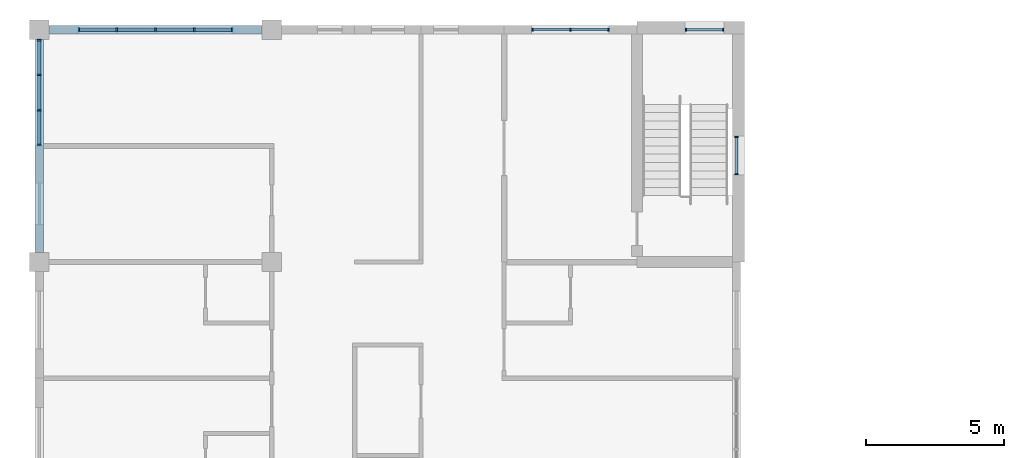
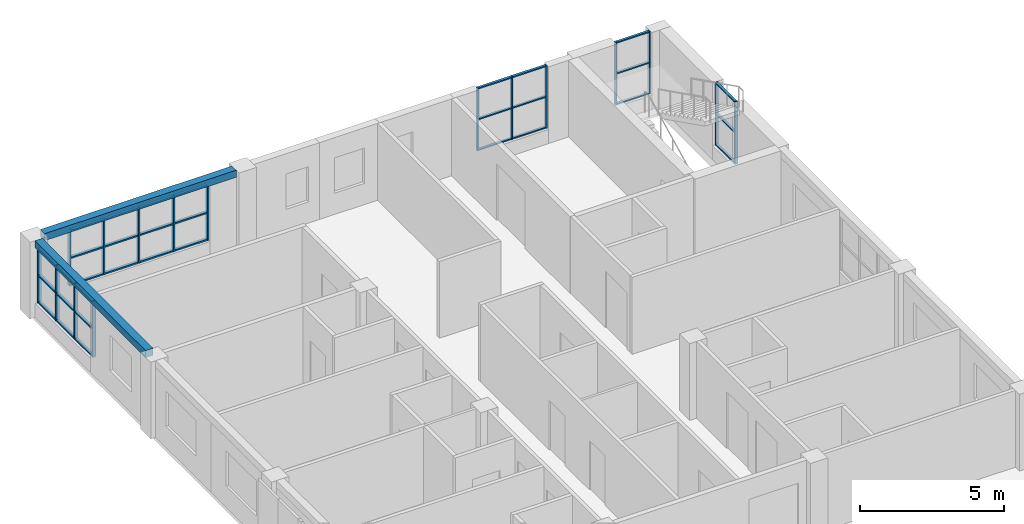
# One storey, part 18 of 61: 49 members, 2 beams, 5 elements without a shape of their own.
"""IFC4 building model written with IfcOpenShell, lengths in metres."""

from ifc_helpers import new_model, si_unit, direction, frame, origin, origin_2d, place, context, subcontext, project, spatial, rectangle, extrude, material, material_profile, profile_set, type_object, element, aggregate, save


model = new_model("IFC4")

# Units and contexts
model_context = context("Model", 3, precision=1e-05, world=origin(), true_north=direction((0.0, 1.0)))
body_context = subcontext(model_context, "Body", "Model", "MODEL_VIEW")
ifc_project = project(units=[si_unit("LENGTHUNIT", "METRE"), si_unit("AREAUNIT", "SQUARE_METRE"), si_unit("VOLUMEUNIT", "CUBIC_METRE"), si_unit("PLANEANGLEUNIT", "RADIAN"), si_unit("MASSUNIT", "GRAM", prefix="KILO")], contexts=[model_context])

# Site, building, storey
site_placement = place(None, origin())
site = spatial("IfcSite", under=ifc_project, at=site_placement, CompositionType="ELEMENT")
building_placement = place(site_placement, origin())
building = spatial("IfcBuilding", under=site, at=building_placement, Name="Yavir Park General Hospital", CompositionType="ELEMENT")
storey_placement = place(building_placement, frame((0.0, 0.0, 15.300048828125)))
storey = spatial("IfcBuildingStorey", under=building, at=storey_placement, Name="L03", CompositionType="ELEMENT", Elevation=15.300048828125)

# Curtain wall, members
ifc_material_1 = material(Name="Aluminium curtain wall frame with insulated glazing", Category="aluminium")
curtain_wall_type_1 = type_object("IfcCurtainWallType", Name="Day room pocket glazing, ward floors, 2360 high, 1400 module", PredefinedType="NOTDEFINED", material=ifc_material_1)
curtain_wall_1_placement = place(storey_placement, origin())
curtain_wall_1 = element("IfcCurtainWall", 1, at=curtain_wall_1_placement, inside=storey, type_object=curtain_wall_type_1, Name="CW6 L03-013", PredefinedType="NOTDEFINED")
ifc_material_2 = material(Name="Aluminium", Category="aluminium")
ifc_material_profile_1 = material_profile(ifc_material_2, rectangle(XDim=0.139892578125, YDim=0.06005859375, at=origin_2d()), Name="AL 60x140")
ifc_profile_set_1 = profile_set([ifc_material_profile_1], Name="Aluminium")
member_type_1 = type_object("IfcMemberType", Name="Day room pocket glazing, ward floors, 2360 high mullion 60 x 140", PredefinedType="MULLION", material=ifc_profile_set_1)
member_1_placement = place(storey_placement, frame((1.429931640625, 117.60009765625, 0.599853515625), z_axis=(0.0, 0.0, 1.0), x_axis=(0.0, 1.0, 0.0)))
member_1 = element("IfcMember", 2, at=member_1_placement, type_object=member_type_1, Name="CW6 mullion 1", PredefinedType="MULLION", context=body_context, shape_type="SweptSolid", body=[
    extrude(rectangle(XDim=0.139892578125, YDim=0.06005859375, at=origin_2d()), origin(), (0.0, 0.0, 1.0), 2.360107421875),
])
member_2_placement = place(storey_placement, frame((2.800048828125, 117.60009765625, 0.599853515625), z_axis=(0.0, 0.0, 1.0), x_axis=(0.0, 1.0, 0.0)))
member_2 = element("IfcMember", 3, at=member_2_placement, type_object=member_type_1, Name="CW6 mullion 2", PredefinedType="MULLION", context=body_context, shape_type="SweptSolid", body=[
    extrude(rectangle(XDim=0.139892578125, YDim=0.06005859375, at=origin_2d()), origin(), (0.0, 0.0, 1.0), 2.360107421875),
])
member_3_placement = place(storey_placement, frame((4.199951171875, 117.60009765625, 0.599853515625), z_axis=(0.0, 0.0, 1.0), x_axis=(0.0, 1.0, 0.0)))
member_3 = element("IfcMember", 4, at=member_3_placement, type_object=member_type_1, Name="CW6 mullion 3", PredefinedType="MULLION", context=body_context, shape_type="SweptSolid", body=[
    extrude(rectangle(XDim=0.139892578125, YDim=0.06005859375, at=origin_2d()), origin(), (0.0, 0.0, 1.0), 2.360107421875),
])
member_4_placement = place(storey_placement, frame((5.60009765625, 117.60009765625, 0.599853515625), z_axis=(0.0, 0.0, 1.0), x_axis=(0.0, 1.0, 0.0)))
member_4 = element("IfcMember", 5, at=member_4_placement, type_object=member_type_1, Name="CW6 mullion 4", PredefinedType="MULLION", context=body_context, shape_type="SweptSolid", body=[
    extrude(rectangle(XDim=0.139892578125, YDim=0.06005859375, at=origin_2d()), origin(), (0.0, 0.0, 1.0), 2.360107421875),
])
member_5_placement = place(storey_placement, frame((6.969970703125, 117.60009765625, 0.599853515625), z_axis=(0.0, 0.0, 1.0), x_axis=(0.0, 1.0, 0.0)))
member_5 = element("IfcMember", 6, at=member_5_placement, type_object=member_type_1, Name="CW6 mullion 5", PredefinedType="MULLION", context=body_context, shape_type="SweptSolid", body=[
    extrude(rectangle(XDim=0.139892578125, YDim=0.06005859375, at=origin_2d()), origin(), (0.0, 0.0, 1.0), 2.360107421875),
])

curtain_wall_2_placement = place(storey_placement, origin())
curtain_wall_2 = element("IfcCurtainWall", 7, at=curtain_wall_2_placement, inside=storey, type_object=curtain_wall_type_1, Name="CW6 L03-021", PredefinedType="NOTDEFINED")
member_6_placement = place(storey_placement, frame((0.0, 113.429931640625, 0.599853515625), z_axis=(0.0, 0.0, 1.0), x_axis=(-1.0, 0.0, 0.0)))
member_6 = element("IfcMember", 8, at=member_6_placement, type_object=member_type_1, Name="CW6 mullion 1", PredefinedType="MULLION", context=body_context, shape_type="SweptSolid", body=[
    extrude(rectangle(XDim=0.139892578125, YDim=0.06005859375, at=origin_2d()), origin(), (0.0, 0.0, 1.0), 2.360107421875),
])
member_7_placement = place(storey_placement, frame((0.0, 114.683349609375, 0.599853515625), z_axis=(0.0, 0.0, 1.0), x_axis=(-1.0, 0.0, 0.0)))
member_7 = element("IfcMember", 9, at=member_7_placement, type_object=member_type_1, Name="CW6 mullion 2", PredefinedType="MULLION", context=body_context, shape_type="SweptSolid", body=[
    extrude(rectangle(XDim=0.139892578125, YDim=0.06005859375, at=origin_2d()), origin(), (0.0, 0.0, 1.0), 2.360107421875),
])
member_8_placement = place(storey_placement, frame((0.0, 115.966552734375, 0.599853515625), z_axis=(0.0, 0.0, 1.0), x_axis=(-1.0, 0.0, 0.0)))
member_8 = element("IfcMember", 10, at=member_8_placement, type_object=member_type_1, Name="CW6 mullion 3", PredefinedType="MULLION", context=body_context, shape_type="SweptSolid", body=[
    extrude(rectangle(XDim=0.139892578125, YDim=0.06005859375, at=origin_2d()), origin(), (0.0, 0.0, 1.0), 2.360107421875),
])
member_9_placement = place(storey_placement, frame((0.0, 117.219970703125, 0.599853515625), z_axis=(0.0, 0.0, 1.0), x_axis=(-1.0, 0.0, 0.0)))
member_9 = element("IfcMember", 11, at=member_9_placement, type_object=member_type_1, Name="CW6 mullion 4", PredefinedType="MULLION", context=body_context, shape_type="SweptSolid", body=[
    extrude(rectangle(XDim=0.139892578125, YDim=0.06005859375, at=origin_2d()), origin(), (0.0, 0.0, 1.0), 2.360107421875),
])

# Member
ifc_material_3 = material(Name="Aluminium", Category="aluminium")
ifc_material_profile_2 = material_profile(ifc_material_3, rectangle(XDim=0.1201171875, YDim=0.06005859375, at=origin_2d()), Name="AL 120x60")
ifc_profile_set_2 = profile_set([ifc_material_profile_2], Name="Aluminium")
member_type_2 = type_object("IfcMemberType", Name="Day room pocket glazing, ward floors, 2360 high transom 60 x 120", PredefinedType="MULLION", material=ifc_profile_set_2)
member_10_placement = place(storey_placement, frame((1.4599609375, 117.60009765625, 0.6298828125), z_axis=(1.0, 0.0, 0.0), x_axis=(0.0, 1.0, 0.0)))
member_10 = element("IfcMember", 12, at=member_10_placement, type_object=member_type_2, Name="CW6 transom 1.1", PredefinedType="MULLION", context=body_context, shape_type="SweptSolid", body=[
    extrude(rectangle(XDim=0.1201171875, YDim=0.06005859375, at=origin_2d()), origin(), (0.0, 0.0, 1.0), 1.31005859375),
])

member_11_placement = place(storey_placement, frame((1.4599609375, 117.60009765625, 1.780029296875), z_axis=(1.0, 0.0, 0.0), x_axis=(0.0, 1.0, 0.0)))
member_11 = element("IfcMember", 13, at=member_11_placement, type_object=member_type_2, Name="CW6 transom 1.2", PredefinedType="MULLION", context=body_context, shape_type="SweptSolid", body=[
    extrude(rectangle(XDim=0.1201171875, YDim=0.06005859375, at=origin_2d()), origin(), (0.0, 0.0, 1.0), 1.31005859375),
])

member_12_placement = place(storey_placement, frame((1.4599609375, 117.60009765625, 2.929931640625), z_axis=(1.0, 0.0, 0.0), x_axis=(0.0, 1.0, 0.0)))
member_12 = element("IfcMember", 14, at=member_12_placement, type_object=member_type_2, Name="CW6 transom 1.3", PredefinedType="MULLION", context=body_context, shape_type="SweptSolid", body=[
    extrude(rectangle(XDim=0.1201171875, YDim=0.06005859375, at=origin_2d()), origin(), (0.0, 0.0, 1.0), 1.31005859375),
])

member_13_placement = place(storey_placement, frame((2.830078125, 117.60009765625, 0.6298828125), z_axis=(1.0, 0.0, 0.0), x_axis=(0.0, 1.0, 0.0)))
member_13 = element("IfcMember", 15, at=member_13_placement, type_object=member_type_2, Name="CW6 transom 2.1", PredefinedType="MULLION", context=body_context, shape_type="SweptSolid", body=[
    extrude(rectangle(XDim=0.1201171875, YDim=0.06005859375, at=origin_2d()), origin(), (0.0, 0.0, 1.0), 1.33984375),
])

member_14_placement = place(storey_placement, frame((2.830078125, 117.60009765625, 1.780029296875), z_axis=(1.0, 0.0, 0.0), x_axis=(0.0, 1.0, 0.0)))
member_14 = element("IfcMember", 16, at=member_14_placement, type_object=member_type_2, Name="CW6 transom 2.2", PredefinedType="MULLION", context=body_context, shape_type="SweptSolid", body=[
    extrude(rectangle(XDim=0.1201171875, YDim=0.06005859375, at=origin_2d()), origin(), (0.0, 0.0, 1.0), 1.33984375),
])

member_15_placement = place(storey_placement, frame((2.830078125, 117.60009765625, 2.929931640625), z_axis=(1.0, 0.0, 0.0), x_axis=(0.0, 1.0, 0.0)))
member_15 = element("IfcMember", 17, at=member_15_placement, type_object=member_type_2, Name="CW6 transom 2.3", PredefinedType="MULLION", context=body_context, shape_type="SweptSolid", body=[
    extrude(rectangle(XDim=0.1201171875, YDim=0.06005859375, at=origin_2d()), origin(), (0.0, 0.0, 1.0), 1.33984375),
])

member_16_placement = place(storey_placement, frame((4.22998046875, 117.60009765625, 0.6298828125), z_axis=(1.0, 0.0, 0.0), x_axis=(0.0, 1.0, 0.0)))
member_16 = element("IfcMember", 18, at=member_16_placement, type_object=member_type_2, Name="CW6 transom 3.1", PredefinedType="MULLION", context=body_context, shape_type="SweptSolid", body=[
    extrude(rectangle(XDim=0.1201171875, YDim=0.06005859375, at=origin_2d()), origin(), (0.0, 0.0, 1.0), 1.340087890625),
])

member_17_placement = place(storey_placement, frame((4.22998046875, 117.60009765625, 1.780029296875), z_axis=(1.0, 0.0, 0.0), x_axis=(0.0, 1.0, 0.0)))
member_17 = element("IfcMember", 19, at=member_17_placement, type_object=member_type_2, Name="CW6 transom 3.2", PredefinedType="MULLION", context=body_context, shape_type="SweptSolid", body=[
    extrude(rectangle(XDim=0.1201171875, YDim=0.06005859375, at=origin_2d()), origin(), (0.0, 0.0, 1.0), 1.340087890625),
])

member_18_placement = place(storey_placement, frame((4.22998046875, 117.60009765625, 2.929931640625), z_axis=(1.0, 0.0, 0.0), x_axis=(0.0, 1.0, 0.0)))
member_18 = element("IfcMember", 20, at=member_18_placement, type_object=member_type_2, Name="CW6 transom 3.3", PredefinedType="MULLION", context=body_context, shape_type="SweptSolid", body=[
    extrude(rectangle(XDim=0.1201171875, YDim=0.06005859375, at=origin_2d()), origin(), (0.0, 0.0, 1.0), 1.340087890625),
])

member_19_placement = place(storey_placement, frame((5.6298828125, 117.60009765625, 0.6298828125), z_axis=(1.0, 0.0, 0.0), x_axis=(0.0, 1.0, 0.0)))
member_19 = element("IfcMember", 21, at=member_19_placement, type_object=member_type_2, Name="CW6 transom 4.1", PredefinedType="MULLION", context=body_context, shape_type="SweptSolid", body=[
    extrude(rectangle(XDim=0.1201171875, YDim=0.06005859375, at=origin_2d()), origin(), (0.0, 0.0, 1.0), 1.31005859375),
])

member_20_placement = place(storey_placement, frame((5.6298828125, 117.60009765625, 1.780029296875), z_axis=(1.0, 0.0, 0.0), x_axis=(0.0, 1.0, 0.0)))
member_20 = element("IfcMember", 22, at=member_20_placement, type_object=member_type_2, Name="CW6 transom 4.2", PredefinedType="MULLION", context=body_context, shape_type="SweptSolid", body=[
    extrude(rectangle(XDim=0.1201171875, YDim=0.06005859375, at=origin_2d()), origin(), (0.0, 0.0, 1.0), 1.31005859375),
])

member_21_placement = place(storey_placement, frame((5.6298828125, 117.60009765625, 2.929931640625), z_axis=(1.0, 0.0, 0.0), x_axis=(0.0, 1.0, 0.0)))
member_21 = element("IfcMember", 23, at=member_21_placement, type_object=member_type_2, Name="CW6 transom 4.3", PredefinedType="MULLION", context=body_context, shape_type="SweptSolid", body=[
    extrude(rectangle(XDim=0.1201171875, YDim=0.06005859375, at=origin_2d()), origin(), (0.0, 0.0, 1.0), 1.31005859375),
])

aggregate(curtain_wall_1, [member_1, member_2, member_3, member_4, member_5, member_10, member_11, member_12, member_13, member_14, member_15, member_16, member_17, member_18, member_19, member_20, member_21])

member_22_placement = place(storey_placement, frame((0.0, 113.4599609375, 0.6298828125), z_axis=(0.0, 1.0, 0.0), x_axis=(-1.0, 0.0, 0.0)))
member_22 = element("IfcMember", 24, at=member_22_placement, type_object=member_type_2, Name="CW6 transom 1.1", PredefinedType="MULLION", context=body_context, shape_type="SweptSolid", body=[
    extrude(rectangle(XDim=0.1201171875, YDim=0.06005859375, at=origin_2d()), origin(), (0.0, 0.0, 1.0), 1.193359375),
])

member_23_placement = place(storey_placement, frame((0.0, 113.4599609375, 1.780029296875), z_axis=(0.0, 1.0, 0.0), x_axis=(-1.0, 0.0, 0.0)))
member_23 = element("IfcMember", 25, at=member_23_placement, type_object=member_type_2, Name="CW6 transom 1.2", PredefinedType="MULLION", context=body_context, shape_type="SweptSolid", body=[
    extrude(rectangle(XDim=0.1201171875, YDim=0.06005859375, at=origin_2d()), origin(), (0.0, 0.0, 1.0), 1.193359375),
])

member_24_placement = place(storey_placement, frame((0.0, 113.4599609375, 2.929931640625), z_axis=(0.0, 1.0, 0.0), x_axis=(-1.0, 0.0, 0.0)))
member_24 = element("IfcMember", 26, at=member_24_placement, type_object=member_type_2, Name="CW6 transom 1.3", PredefinedType="MULLION", context=body_context, shape_type="SweptSolid", body=[
    extrude(rectangle(XDim=0.1201171875, YDim=0.06005859375, at=origin_2d()), origin(), (0.0, 0.0, 1.0), 1.193359375),
])

member_25_placement = place(storey_placement, frame((0.0, 114.71337890625, 0.6298828125), z_axis=(0.0, 1.0, 0.0), x_axis=(-1.0, 0.0, 0.0)))
member_25 = element("IfcMember", 27, at=member_25_placement, type_object=member_type_2, Name="CW6 transom 2.1", PredefinedType="MULLION", context=body_context, shape_type="SweptSolid", body=[
    extrude(rectangle(XDim=0.1201171875, YDim=0.06005859375, at=origin_2d()), origin(), (0.0, 0.0, 1.0), 1.223388671875),
])

member_26_placement = place(storey_placement, frame((0.0, 114.71337890625, 1.780029296875), z_axis=(0.0, 1.0, 0.0), x_axis=(-1.0, 0.0, 0.0)))
member_26 = element("IfcMember", 28, at=member_26_placement, type_object=member_type_2, Name="CW6 transom 2.2", PredefinedType="MULLION", context=body_context, shape_type="SweptSolid", body=[
    extrude(rectangle(XDim=0.1201171875, YDim=0.06005859375, at=origin_2d()), origin(), (0.0, 0.0, 1.0), 1.223388671875),
])

member_27_placement = place(storey_placement, frame((0.0, 114.71337890625, 2.929931640625), z_axis=(0.0, 1.0, 0.0), x_axis=(-1.0, 0.0, 0.0)))
member_27 = element("IfcMember", 29, at=member_27_placement, type_object=member_type_2, Name="CW6 transom 2.3", PredefinedType="MULLION", context=body_context, shape_type="SweptSolid", body=[
    extrude(rectangle(XDim=0.1201171875, YDim=0.06005859375, at=origin_2d()), origin(), (0.0, 0.0, 1.0), 1.223388671875),
])

member_28_placement = place(storey_placement, frame((0.0, 115.99658203125, 0.6298828125), z_axis=(0.0, 1.0, 0.0), x_axis=(-1.0, 0.0, 0.0)))
member_28 = element("IfcMember", 30, at=member_28_placement, type_object=member_type_2, Name="CW6 transom 3.1", PredefinedType="MULLION", context=body_context, shape_type="SweptSolid", body=[
    extrude(rectangle(XDim=0.1201171875, YDim=0.06005859375, at=origin_2d()), origin(), (0.0, 0.0, 1.0), 1.193359375),
])

member_29_placement = place(storey_placement, frame((0.0, 115.99658203125, 1.780029296875), z_axis=(0.0, 1.0, 0.0), x_axis=(-1.0, 0.0, 0.0)))
member_29 = element("IfcMember", 31, at=member_29_placement, type_object=member_type_2, Name="CW6 transom 3.2", PredefinedType="MULLION", context=body_context, shape_type="SweptSolid", body=[
    extrude(rectangle(XDim=0.1201171875, YDim=0.06005859375, at=origin_2d()), origin(), (0.0, 0.0, 1.0), 1.193359375),
])

member_30_placement = place(storey_placement, frame((0.0, 115.99658203125, 2.929931640625), z_axis=(0.0, 1.0, 0.0), x_axis=(-1.0, 0.0, 0.0)))
member_30 = element("IfcMember", 32, at=member_30_placement, type_object=member_type_2, Name="CW6 transom 3.3", PredefinedType="MULLION", context=body_context, shape_type="SweptSolid", body=[
    extrude(rectangle(XDim=0.1201171875, YDim=0.06005859375, at=origin_2d()), origin(), (0.0, 0.0, 1.0), 1.193359375),
])

aggregate(curtain_wall_2, [member_6, member_7, member_8, member_9, member_22, member_23, member_24, member_25, member_26, member_27, member_28, member_29, member_30])

# Beams
ifc_material_4 = material(Name="Concrete C35/45", Category="concrete")
ifc_material_profile_3 = material_profile(ifc_material_4, rectangle(XDim=0.300048828125, YDim=0.300048828125, at=origin_2d()), Name="RC300x300")
ifc_profile_set_3 = profile_set([ifc_material_profile_3], Name="Concrete C35/45")
beam_type = type_object("IfcBeamType", Name="RC BEAM 300x300 edge beam", PredefinedType="BEAM", material=ifc_profile_set_3)
for number, where, z_axis, x_axis, name in (
    (33, (0.35009765625, 117.60009765625, 3.10986328125), (1.0, 0.0, 0.0), (0.0, 1.0, 0.0), "B:EDGE:L03:015"),
    (34, (0.0, 109.550048828125, 3.10986328125), (0.0, 1.0, 0.0), (-1.0, 0.0, 0.0), "B:EDGE:L03:027"),
):
    element("IfcBeam", number, at=place(storey_placement, frame(where, z_axis=z_axis, x_axis=x_axis)), inside=storey, type_object=beam_type, Name=name, PredefinedType="BEAM", context=body_context, shape_type="SweptSolid", body=[
        extrude(rectangle(XDim=0.300048828125, YDim=0.300048828125, at=origin_2d()), origin(), (0.0, 0.0, 1.0), 7.699951171875),
    ])

# Curtain wall, members
ifc_material_5 = material(Name="Aluminium curtain wall frame with insulated glazing", Category="aluminium")
curtain_wall_type_2 = type_object("IfcCurtainWallType", Name="Stair light slot, ward floors, 2660 high, 1400 module", PredefinedType="NOTDEFINED", material=ifc_material_5)
curtain_wall_3_placement = place(storey_placement, origin())
curtain_wall_3 = element("IfcCurtainWall", 35, at=curtain_wall_3_placement, inside=storey, type_object=curtain_wall_type_2, Name="CW10 L03-015", PredefinedType="NOTDEFINED")
ifc_material_6 = material(Name="Aluminium", Category="aluminium")
ifc_material_profile_4 = material_profile(ifc_material_6, rectangle(XDim=0.1201171875, YDim=0.050048828125, at=origin_2d()), Name="AL 50x120")
ifc_profile_set_4 = profile_set([ifc_material_profile_4], Name="Aluminium")
member_type_3 = type_object("IfcMemberType", Name="Stair light slot, ward floors, 2660 high mullion 50 x 120", PredefinedType="MULLION", material=ifc_profile_set_4)
member_31_placement = place(storey_placement, frame((23.375, 117.60009765625, 0.599853515625), z_axis=(0.0, 0.0, 1.0), x_axis=(0.0, 1.0, 0.0)))
member_31 = element("IfcMember", 36, at=member_31_placement, type_object=member_type_3, Name="CW10 mullion 1", PredefinedType="MULLION", context=body_context, shape_type="SweptSolid", body=[
    extrude(rectangle(XDim=0.1201171875, YDim=0.050048828125, at=origin_2d()), origin(), (0.0, 0.0, 1.0), 2.66015625),
])
member_32_placement = place(storey_placement, frame((24.72509765625, 117.60009765625, 0.599853515625), z_axis=(0.0, 0.0, 1.0), x_axis=(0.0, 1.0, 0.0)))
member_32 = element("IfcMember", 37, at=member_32_placement, type_object=member_type_3, Name="CW10 mullion 2", PredefinedType="MULLION", context=body_context, shape_type="SweptSolid", body=[
    extrude(rectangle(XDim=0.1201171875, YDim=0.050048828125, at=origin_2d()), origin(), (0.0, 0.0, 1.0), 2.66015625),
])

curtain_wall_4_placement = place(storey_placement, origin())
curtain_wall_4 = element("IfcCurtainWall", 38, at=curtain_wall_4_placement, inside=storey, type_object=curtain_wall_type_2, Name="CW10 L03-028", PredefinedType="NOTDEFINED")
member_33_placement = place(storey_placement, frame((25.199951171875, 112.375, 0.599853515625), z_axis=(0.0, 0.0, 1.0), x_axis=(-1.0, 0.0, 0.0)))
member_33 = element("IfcMember", 39, at=member_33_placement, type_object=member_type_3, Name="CW10 mullion 1", PredefinedType="MULLION", context=body_context, shape_type="SweptSolid", body=[
    extrude(rectangle(XDim=0.1201171875, YDim=0.050048828125, at=origin_2d()), origin(), (0.0, 0.0, 1.0), 2.66015625),
])
member_34_placement = place(storey_placement, frame((25.199951171875, 113.72509765625, 0.599853515625), z_axis=(0.0, 0.0, 1.0), x_axis=(-1.0, 0.0, 0.0)))
member_34 = element("IfcMember", 40, at=member_34_placement, type_object=member_type_3, Name="CW10 mullion 2", PredefinedType="MULLION", context=body_context, shape_type="SweptSolid", body=[
    extrude(rectangle(XDim=0.1201171875, YDim=0.050048828125, at=origin_2d()), origin(), (0.0, 0.0, 1.0), 2.66015625),
])

# Member
ifc_material_7 = material(Name="Aluminium", Category="aluminium")
ifc_material_profile_5 = material_profile(ifc_material_7, rectangle(XDim=0.10009765625, YDim=0.050048828125, at=origin_2d()), Name="AL 100x50")
ifc_profile_set_5 = profile_set([ifc_material_profile_5], Name="Aluminium")
member_type_4 = type_object("IfcMemberType", Name="Stair light slot, ward floors, 2660 high transom 50 x 100", PredefinedType="MULLION", material=ifc_profile_set_5)
member_35_placement = place(storey_placement, frame((23.39990234375, 117.60009765625, 0.625), z_axis=(1.0, 0.0, 0.0), x_axis=(0.0, 1.0, 0.0)))
member_35 = element("IfcMember", 41, at=member_35_placement, type_object=member_type_4, Name="CW10 transom 1.1", PredefinedType="MULLION", context=body_context, shape_type="SweptSolid", body=[
    extrude(rectangle(XDim=0.10009765625, YDim=0.050048828125, at=origin_2d()), origin(), (0.0, 0.0, 1.0), 1.300048828125),
])

member_36_placement = place(storey_placement, frame((23.39990234375, 117.60009765625, 1.929931640625), z_axis=(1.0, 0.0, 0.0), x_axis=(0.0, 1.0, 0.0)))
member_36 = element("IfcMember", 42, at=member_36_placement, type_object=member_type_4, Name="CW10 transom 1.2", PredefinedType="MULLION", context=body_context, shape_type="SweptSolid", body=[
    extrude(rectangle(XDim=0.10009765625, YDim=0.050048828125, at=origin_2d()), origin(), (0.0, 0.0, 1.0), 1.300048828125),
])

member_37_placement = place(storey_placement, frame((23.39990234375, 117.60009765625, 3.23486328125), z_axis=(1.0, 0.0, 0.0), x_axis=(0.0, 1.0, 0.0)))
member_37 = element("IfcMember", 43, at=member_37_placement, type_object=member_type_4, Name="CW10 transom 1.3", PredefinedType="MULLION", context=body_context, shape_type="SweptSolid", body=[
    extrude(rectangle(XDim=0.10009765625, YDim=0.050048828125, at=origin_2d()), origin(), (0.0, 0.0, 1.0), 1.300048828125),
])

aggregate(curtain_wall_3, [member_31, member_32, member_35, member_36, member_37])

member_38_placement = place(storey_placement, frame((25.199951171875, 112.39990234375, 0.625), z_axis=(0.0, 1.0, 0.0), x_axis=(-1.0, 0.0, 0.0)))
member_38 = element("IfcMember", 44, at=member_38_placement, type_object=member_type_4, Name="CW10 transom 1.1", PredefinedType="MULLION", context=body_context, shape_type="SweptSolid", body=[
    extrude(rectangle(XDim=0.10009765625, YDim=0.050048828125, at=origin_2d()), origin(), (0.0, 0.0, 1.0), 1.300048828125),
])

member_39_placement = place(storey_placement, frame((25.199951171875, 112.39990234375, 1.929931640625), z_axis=(0.0, 1.0, 0.0), x_axis=(-1.0, 0.0, 0.0)))
member_39 = element("IfcMember", 45, at=member_39_placement, type_object=member_type_4, Name="CW10 transom 1.2", PredefinedType="MULLION", context=body_context, shape_type="SweptSolid", body=[
    extrude(rectangle(XDim=0.10009765625, YDim=0.050048828125, at=origin_2d()), origin(), (0.0, 0.0, 1.0), 1.300048828125),
])

member_40_placement = place(storey_placement, frame((25.199951171875, 112.39990234375, 3.23486328125), z_axis=(0.0, 1.0, 0.0), x_axis=(-1.0, 0.0, 0.0)))
member_40 = element("IfcMember", 46, at=member_40_placement, type_object=member_type_4, Name="CW10 transom 1.3", PredefinedType="MULLION", context=body_context, shape_type="SweptSolid", body=[
    extrude(rectangle(XDim=0.10009765625, YDim=0.050048828125, at=origin_2d()), origin(), (0.0, 0.0, 1.0), 1.300048828125),
])

aggregate(curtain_wall_4, [member_33, member_34, member_38, member_39, member_40])

# Curtain wall, members
ifc_material_8 = material(Name="Aluminium curtain wall frame with insulated glazing", Category="aluminium")
curtain_wall_type_3 = type_object("IfcCurtainWallType", Name="Ward corridor end glazing, 2660 high, 1400 module", PredefinedType="NOTDEFINED", material=ifc_material_8)
curtain_wall_5_placement = place(storey_placement, origin())
curtain_wall_5 = element("IfcCurtainWall", 47, at=curtain_wall_5_placement, inside=storey, type_object=curtain_wall_type_3, Name="CW15 L03-014", PredefinedType="NOTDEFINED")
ifc_material_9 = material(Name="Aluminium", Category="aluminium")
ifc_material_profile_6 = material_profile(ifc_material_9, rectangle(XDim=0.1201171875, YDim=0.050048828125, at=origin_2d()), Name="AL 50x120")
ifc_profile_set_6 = profile_set([ifc_material_profile_6], Name="Aluminium")
member_type_5 = type_object("IfcMemberType", Name="Ward corridor end glazing, 2660 high mullion 50 x 120", PredefinedType="MULLION", material=ifc_profile_set_6)
member_41_placement = place(storey_placement, frame((17.824951171875, 117.60009765625, 0.599853515625), z_axis=(0.0, 0.0, 1.0), x_axis=(0.0, 1.0, 0.0)))
member_41 = element("IfcMember", 48, at=member_41_placement, type_object=member_type_5, Name="CW15 mullion 1", PredefinedType="MULLION", context=body_context, shape_type="SweptSolid", body=[
    extrude(rectangle(XDim=0.1201171875, YDim=0.050048828125, at=origin_2d()), origin(), (0.0, 0.0, 1.0), 2.66015625),
])
member_42_placement = place(storey_placement, frame((19.199951171875, 117.60009765625, 0.599853515625), z_axis=(0.0, 0.0, 1.0), x_axis=(0.0, 1.0, 0.0)))
member_42 = element("IfcMember", 49, at=member_42_placement, type_object=member_type_5, Name="CW15 mullion 2", PredefinedType="MULLION", context=body_context, shape_type="SweptSolid", body=[
    extrude(rectangle(XDim=0.1201171875, YDim=0.050048828125, at=origin_2d()), origin(), (0.0, 0.0, 1.0), 2.66015625),
])
member_43_placement = place(storey_placement, frame((20.574951171875, 117.60009765625, 0.599853515625), z_axis=(0.0, 0.0, 1.0), x_axis=(0.0, 1.0, 0.0)))
member_43 = element("IfcMember", 50, at=member_43_placement, type_object=member_type_5, Name="CW15 mullion 3", PredefinedType="MULLION", context=body_context, shape_type="SweptSolid", body=[
    extrude(rectangle(XDim=0.1201171875, YDim=0.050048828125, at=origin_2d()), origin(), (0.0, 0.0, 1.0), 2.66015625),
])
ifc_material_10 = material(Name="Aluminium", Category="aluminium")
ifc_material_profile_7 = material_profile(ifc_material_10, rectangle(XDim=0.10009765625, YDim=0.050048828125, at=origin_2d()), Name="AL 100x50")
ifc_profile_set_7 = profile_set([ifc_material_profile_7], Name="Aluminium")
member_type_6 = type_object("IfcMemberType", Name="Ward corridor end glazing, 2660 high transom 50 x 100", PredefinedType="MULLION", material=ifc_profile_set_7)
member_44_placement = place(storey_placement, frame((17.85009765625, 117.60009765625, 0.625), z_axis=(1.0, 0.0, 0.0), x_axis=(0.0, 1.0, 0.0)))
member_44 = element("IfcMember", 51, at=member_44_placement, type_object=member_type_6, Name="CW15 transom 1.1", PredefinedType="MULLION", context=body_context, shape_type="SweptSolid", body=[
    extrude(rectangle(XDim=0.10009765625, YDim=0.050048828125, at=origin_2d()), origin(), (0.0, 0.0, 1.0), 1.324951171875),
])
member_45_placement = place(storey_placement, frame((17.85009765625, 117.60009765625, 1.929931640625), z_axis=(1.0, 0.0, 0.0), x_axis=(0.0, 1.0, 0.0)))
member_45 = element("IfcMember", 52, at=member_45_placement, type_object=member_type_6, Name="CW15 transom 1.2", PredefinedType="MULLION", context=body_context, shape_type="SweptSolid", body=[
    extrude(rectangle(XDim=0.10009765625, YDim=0.050048828125, at=origin_2d()), origin(), (0.0, 0.0, 1.0), 1.324951171875),
])
member_46_placement = place(storey_placement, frame((17.85009765625, 117.60009765625, 3.23486328125), z_axis=(1.0, 0.0, 0.0), x_axis=(0.0, 1.0, 0.0)))
member_46 = element("IfcMember", 53, at=member_46_placement, type_object=member_type_6, Name="CW15 transom 1.3", PredefinedType="MULLION", context=body_context, shape_type="SweptSolid", body=[
    extrude(rectangle(XDim=0.10009765625, YDim=0.050048828125, at=origin_2d()), origin(), (0.0, 0.0, 1.0), 1.324951171875),
])
member_47_placement = place(storey_placement, frame((19.22509765625, 117.60009765625, 0.625), z_axis=(1.0, 0.0, 0.0), x_axis=(0.0, 1.0, 0.0)))
member_47 = element("IfcMember", 54, at=member_47_placement, type_object=member_type_6, Name="CW15 transom 2.1", PredefinedType="MULLION", context=body_context, shape_type="SweptSolid", body=[
    extrude(rectangle(XDim=0.10009765625, YDim=0.050048828125, at=origin_2d()), origin(), (0.0, 0.0, 1.0), 1.324951171875),
])
member_48_placement = place(storey_placement, frame((19.22509765625, 117.60009765625, 1.929931640625), z_axis=(1.0, 0.0, 0.0), x_axis=(0.0, 1.0, 0.0)))
member_48 = element("IfcMember", 55, at=member_48_placement, type_object=member_type_6, Name="CW15 transom 2.2", PredefinedType="MULLION", context=body_context, shape_type="SweptSolid", body=[
    extrude(rectangle(XDim=0.10009765625, YDim=0.050048828125, at=origin_2d()), origin(), (0.0, 0.0, 1.0), 1.324951171875),
])
member_49_placement = place(storey_placement, frame((19.22509765625, 117.60009765625, 3.23486328125), z_axis=(1.0, 0.0, 0.0), x_axis=(0.0, 1.0, 0.0)))
member_49 = element("IfcMember", 56, at=member_49_placement, type_object=member_type_6, Name="CW15 transom 2.3", PredefinedType="MULLION", context=body_context, shape_type="SweptSolid", body=[
    extrude(rectangle(XDim=0.10009765625, YDim=0.050048828125, at=origin_2d()), origin(), (0.0, 0.0, 1.0), 1.324951171875),
])
aggregate(curtain_wall_5, [member_41, member_42, member_43, member_44, member_45, member_46, member_47, member_48, member_49])

save(model, "model.ifc")
